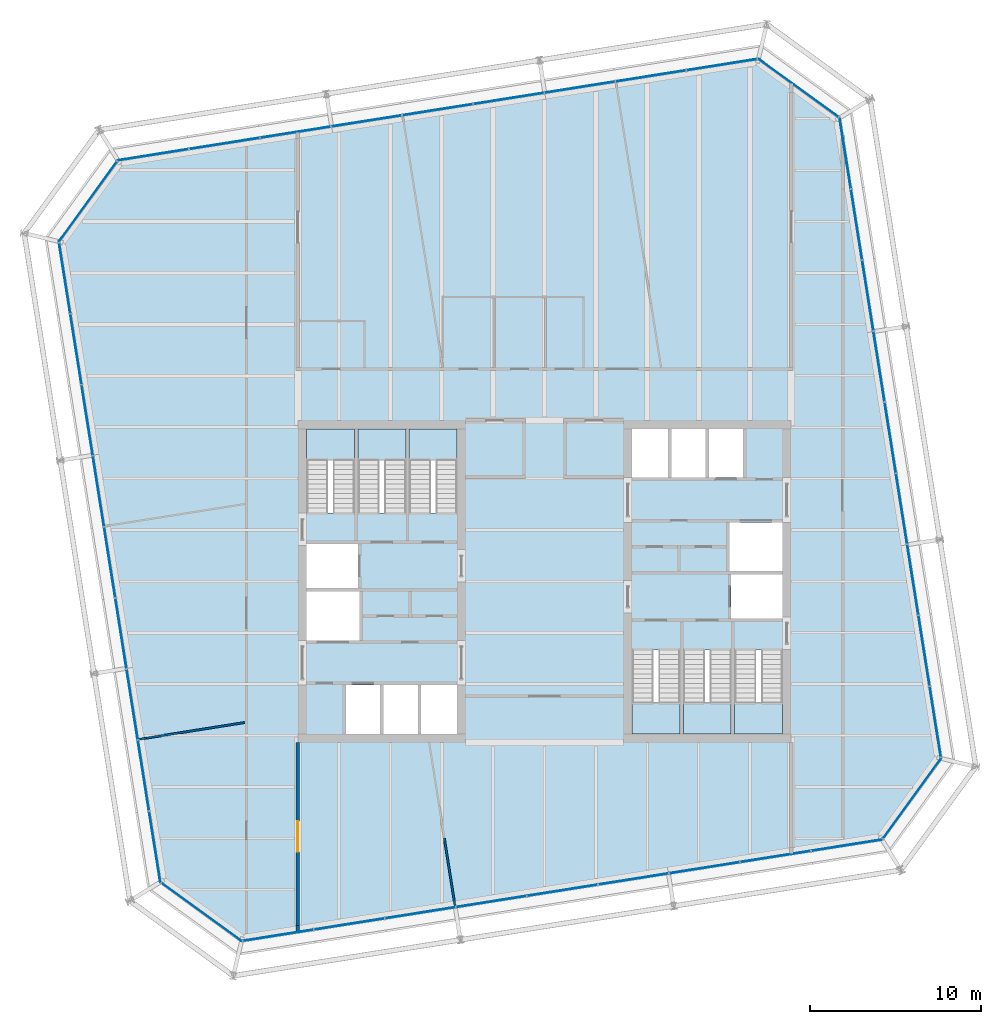
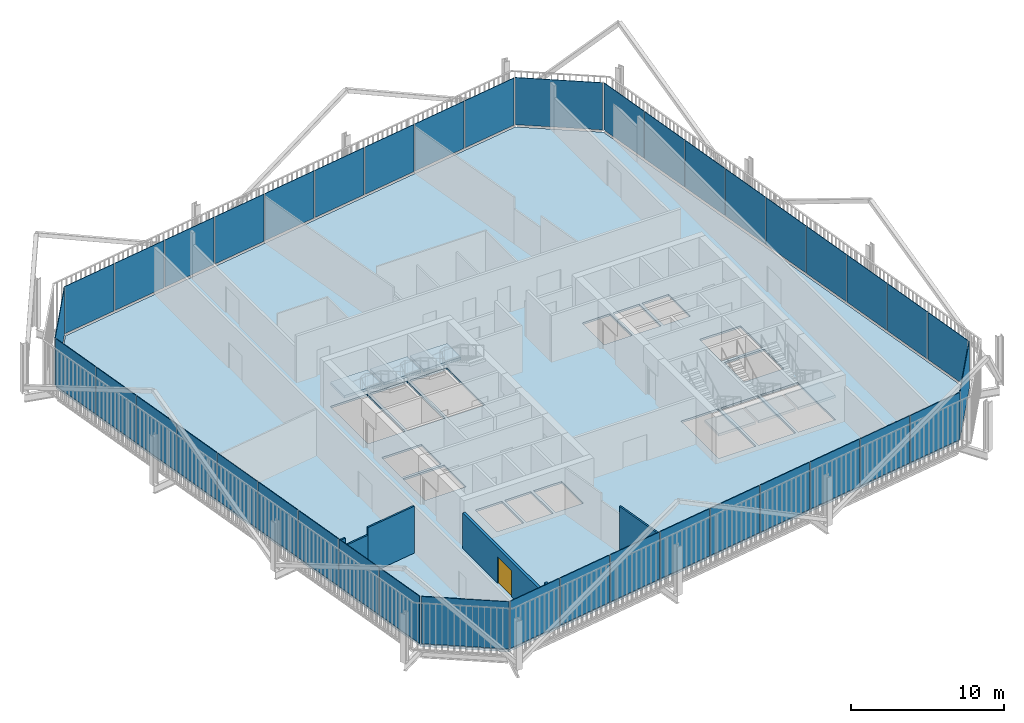
# One storey, part 16 of 21: 40 plates, 7 slabs, 6 walls, 1 door, 1 opening, 14 elements without a shape of their own.
"""IFC4 building model written with IfcOpenShell, lengths in metres."""

from ifc_helpers import new_model, si_unit, direction, frame, frame_2d, origin, place, context, subcontext, project, spatial, polyline, rectangle, outline, extrude, material, layer, layer_set, type_object, element, fill, aggregate, save


model = new_model("IFC4")

# Units and contexts
model_context = context("Model", 3, precision=1e-05, world=origin(), true_north=direction((0.0, 1.0)))
body_context = subcontext(model_context, "Body", "Model", "MODEL_VIEW")
ifc_project = project(units=[si_unit("LENGTHUNIT", "METRE"), si_unit("AREAUNIT", "SQUARE_METRE"), si_unit("VOLUMEUNIT", "CUBIC_METRE"), si_unit("PLANEANGLEUNIT", "RADIAN"), si_unit("MASSUNIT", "GRAM", prefix="KILO")], contexts=[model_context])

# Site, building, storey
site_placement = place(None, origin())
site = spatial("IfcSite", under=ifc_project, at=site_placement, CompositionType="ELEMENT")
building_placement = place(site_placement, origin())
building = spatial("IfcBuilding", under=site, at=building_placement, Name="Millrace Tower", CompositionType="ELEMENT")
storey_placement = place(building_placement, frame((0.0, 0.0, 212.5)))
storey = spatial("IfcBuildingStorey", under=building, at=storey_placement, Name="L48", CompositionType="ELEMENT", Elevation=212.5)

# Curtain wall, plate
ifc_material_1 = material(Name="Aluminium and glass", Category="aluminium")
ifc_layer_1 = layer(ifc_material_1, 0.14990234375)
ifc_layer_set_1 = layer_set([ifc_layer_1], Name="Aluminium and glass")
curtain_wall_type = type_object("IfcCurtainWallType", Name="CW-1 office vision curtain wall", PredefinedType="NOTDEFINED", material=ifc_layer_set_1)
placement_1 = place(storey_placement, origin())
curtain_wall_1 = element("IfcCurtainWall", 1, at=placement_1, inside=storey, type_object=curtain_wall_type, Name="Curtain wall D-F01 L48", PredefinedType="NOTDEFINED")
ifc_material_2 = material(Name="Glass", Category="glass")
ifc_layer_2 = layer(ifc_material_2, 0.0439453125)
ifc_layer_set_2 = layer_set([ifc_layer_2], Name="Glass")
plate_type = type_object("IfcPlateType", Name="CW-1 office vision curtain wall triple-glazed vision panel", PredefinedType="CURTAIN_PANEL", material=ifc_layer_set_2)
placement_2 = place(storey_placement, frame((0.0, 0.0, 0.139892578125)))
plate_1 = element("IfcPlate", 2, at=placement_2, type_object=plate_type, Name="CW1 panel D-F01.1", PredefinedType="CURTAIN_PANEL", context=body_context, shape_type="SweptSolid", body=[
    extrude(outline(polyline([(-22.36474609375, -17.632080078125), (-17.69384765625, -21.025634765625), (-17.6826171875, -20.979248046875), (-22.3388671875, -17.596435546875), (-22.36474609375, -17.632080078125)])), origin(), (0.0, 0.0, 1.0), 3.760009765625),
])
aggregate(curtain_wall_1, [plate_1])

# Curtain wall, plates
curtain_wall_2 = element("IfcCurtainWall", 3, at=placement_1, inside=storey, type_object=curtain_wall_type, Name="Curtain wall D-F02 L48", PredefinedType="NOTDEFINED")
plate_2 = element("IfcPlate", 4, at=placement_2, type_object=plate_type, Name="CW1 panel D-F02.1", PredefinedType="CURTAIN_PANEL", context=body_context, shape_type="SweptSolid", body=[
    extrude(outline(polyline([(-17.58984375, -21.009033203125), (-13.505859375, -20.3623046875), (-13.5126953125, -20.31884765625), (-17.596923828125, -20.965576171875), (-17.58984375, -21.009033203125)])), origin(), (0.0, 0.0, 1.0), 3.760009765625),
])
plate_3 = element("IfcPlate", 5, at=placement_2, type_object=plate_type, Name="CW1 panel D-F02.2", PredefinedType="CURTAIN_PANEL", context=body_context, shape_type="SweptSolid", body=[
    extrude(outline(polyline([(-13.441650390625, -20.35205078125), (-9.357666015625, -19.705078125), (-9.364501953125, -19.66162109375), (-13.448486328125, -20.30859375), (-13.441650390625, -20.35205078125)])), origin(), (0.0, 0.0, 1.0), 3.760009765625),
])
plate_4 = element("IfcPlate", 6, at=placement_2, type_object=plate_type, Name="CW1 panel D-F02.3", PredefinedType="CURTAIN_PANEL", context=body_context, shape_type="SweptSolid", body=[
    extrude(outline(polyline([(-9.29345703125, -19.695068359375), (-5.209228515625, -19.048095703125), (-5.216064453125, -19.004638671875), (-9.30029296875, -19.651611328125), (-9.29345703125, -19.695068359375)])), origin(), (0.0, 0.0, 1.0), 3.760009765625),
])
plate_5 = element("IfcPlate", 7, at=placement_2, type_object=plate_type, Name="CW1 panel D-F02.4", PredefinedType="CURTAIN_PANEL", context=body_context, shape_type="SweptSolid", body=[
    extrude(outline(polyline([(-5.14501953125, -19.0380859375), (-1.06103515625, -18.39111328125), (-1.06787109375, -18.34765625), (-5.15185546875, -18.99462890625), (-5.14501953125, -19.0380859375)])), origin(), (0.0, 0.0, 1.0), 3.760009765625),
])
plate_6 = element("IfcPlate", 8, at=placement_2, type_object=plate_type, Name="CW1 panel D-F02.5", PredefinedType="CURTAIN_PANEL", context=body_context, shape_type="SweptSolid", body=[
    extrude(outline(polyline([(-0.996826171875, -18.380859375), (3.08740234375, -17.734130859375), (3.080322265625, -17.690673828125), (-1.003662109375, -18.33740234375), (-0.996826171875, -18.380859375)])), origin(), (0.0, 0.0, 1.0), 3.760009765625),
])
plate_7 = element("IfcPlate", 9, at=placement_2, type_object=plate_type, Name="CW1 panel D-F02.6", PredefinedType="CURTAIN_PANEL", context=body_context, shape_type="SweptSolid", body=[
    extrude(outline(polyline([(3.151611328125, -17.723876953125), (7.235595703125, -17.0771484375), (7.228759765625, -17.03369140625), (3.14453125, -17.680419921875), (3.151611328125, -17.723876953125)])), origin(), (0.0, 0.0, 1.0), 3.760009765625),
])
plate_8 = element("IfcPlate", 10, at=placement_2, type_object=plate_type, Name="CW1 panel D-F02.7", PredefinedType="CURTAIN_PANEL", context=body_context, shape_type="SweptSolid", body=[
    extrude(outline(polyline([(7.2998046875, -17.06689453125), (11.3837890625, -16.420166015625), (11.376953125, -16.376708984375), (7.29296875, -17.0234375), (7.2998046875, -17.06689453125)])), origin(), (0.0, 0.0, 1.0), 3.760009765625),
])
plate_9 = element("IfcPlate", 11, at=placement_2, type_object=plate_type, Name="CW1 panel D-F02.8", PredefinedType="CURTAIN_PANEL", context=body_context, shape_type="SweptSolid", body=[
    extrude(outline(polyline([(11.447998046875, -16.409912109375), (15.5322265625, -15.762939453125), (15.525390625, -15.719482421875), (11.441162109375, -16.366455078125), (11.447998046875, -16.409912109375)])), origin(), (0.0, 0.0, 1.0), 3.760009765625),
])
plate_10 = element("IfcPlate", 12, at=placement_2, type_object=plate_type, Name="CW1 panel D-F02.9", PredefinedType="CURTAIN_PANEL", context=body_context, shape_type="SweptSolid", body=[
    extrude(outline(polyline([(15.596435546875, -15.7529296875), (19.72021484375, -15.099853515625), (19.6953125, -15.05908203125), (15.589599609375, -15.70947265625), (15.596435546875, -15.7529296875)])), origin(), (0.0, 0.0, 1.0), 3.760009765625),
])
aggregate(curtain_wall_2, [plate_2, plate_3, plate_4, plate_5, plate_6, plate_7, plate_8, plate_9, plate_10])

# Curtain wall, plate
curtain_wall_3 = element("IfcCurtainWall", 13, at=placement_1, inside=storey, type_object=curtain_wall_type, Name="Curtain wall D-F03 L48", PredefinedType="NOTDEFINED")
plate_11 = element("IfcPlate", 14, at=placement_2, type_object=plate_type, Name="CW1 panel D-F03.1", PredefinedType="CURTAIN_PANEL", context=body_context, shape_type="SweptSolid", body=[
    extrude(outline(polyline([(19.781982421875, -15.0146484375), (23.175537109375, -10.34375), (23.129150390625, -10.332763671875), (19.746337890625, -14.98876953125), (19.781982421875, -15.0146484375)])), origin(), (0.0, 0.0, 1.0), 3.760009765625),
])
aggregate(curtain_wall_3, [plate_11])

# Curtain wall, plates
curtain_wall_4 = element("IfcCurtainWall", 15, at=placement_1, inside=storey, type_object=curtain_wall_type, Name="Curtain wall D-F04 L48", PredefinedType="NOTDEFINED")
plate_12 = element("IfcPlate", 16, at=placement_2, type_object=plate_type, Name="CW1 panel D-F04.1", PredefinedType="CURTAIN_PANEL", context=body_context, shape_type="SweptSolid", body=[
    extrude(outline(polyline([(23.1591796875, -10.239990234375), (22.51220703125, -6.15576171875), (22.46875, -6.162841796875), (23.11572265625, -10.246826171875), (23.1591796875, -10.239990234375)])), origin(), (0.0, 0.0, 1.0), 3.760009765625),
])
plate_13 = element("IfcPlate", 17, at=placement_2, type_object=plate_type, Name="CW1 panel D-F04.2", PredefinedType="CURTAIN_PANEL", context=body_context, shape_type="SweptSolid", body=[
    extrude(outline(polyline([(22.501953125, -6.091552734375), (21.855224609375, -2.007568359375), (21.811767578125, -2.014404296875), (22.45849609375, -6.0986328125), (22.501953125, -6.091552734375)])), origin(), (0.0, 0.0, 1.0), 3.760009765625),
])
plate_14 = element("IfcPlate", 18, at=placement_2, type_object=plate_type, Name="CW1 panel D-F04.3", PredefinedType="CURTAIN_PANEL", context=body_context, shape_type="SweptSolid", body=[
    extrude(outline(polyline([(21.844970703125, -1.943359375), (21.1982421875, 2.140625), (21.15478515625, 2.1337890625), (21.801513671875, -1.9501953125), (21.844970703125, -1.943359375)])), origin(), (0.0, 0.0, 1.0), 3.760009765625),
])
plate_15 = element("IfcPlate", 19, at=placement_2, type_object=plate_type, Name="CW1 panel D-F04.4", PredefinedType="CURTAIN_PANEL", context=body_context, shape_type="SweptSolid", body=[
    extrude(outline(polyline([(21.18798828125, 2.204833984375), (20.541259765625, 6.2890625), (20.497802734375, 6.2822265625), (21.14453125, 2.197998046875), (21.18798828125, 2.204833984375)])), origin(), (0.0, 0.0, 1.0), 3.760009765625),
])
plate_16 = element("IfcPlate", 20, at=placement_2, type_object=plate_type, Name="CW1 panel D-F04.5", PredefinedType="CURTAIN_PANEL", context=body_context, shape_type="SweptSolid", body=[
    extrude(outline(polyline([(20.531005859375, 6.353271484375), (19.884033203125, 10.437255859375), (19.840576171875, 10.430419921875), (20.487548828125, 6.346435546875), (20.531005859375, 6.353271484375)])), origin(), (0.0, 0.0, 1.0), 3.760009765625),
])
plate_17 = element("IfcPlate", 21, at=placement_2, type_object=plate_type, Name="CW1 panel D-F04.6", PredefinedType="CURTAIN_PANEL", context=body_context, shape_type="SweptSolid", body=[
    extrude(outline(polyline([(19.8740234375, 10.50146484375), (19.22705078125, 14.585693359375), (19.18359375, 14.57861328125), (19.83056640625, 10.49462890625), (19.8740234375, 10.50146484375)])), origin(), (0.0, 0.0, 1.0), 3.760009765625),
])
plate_18 = element("IfcPlate", 22, at=placement_2, type_object=plate_type, Name="CW1 panel D-F04.7", PredefinedType="CURTAIN_PANEL", context=body_context, shape_type="SweptSolid", body=[
    extrude(outline(polyline([(19.217041015625, 14.64990234375), (18.570068359375, 18.73388671875), (18.526611328125, 18.72705078125), (19.173583984375, 14.642822265625), (19.217041015625, 14.64990234375)])), origin(), (0.0, 0.0, 1.0), 3.760009765625),
])
plate_19 = element("IfcPlate", 23, at=placement_2, type_object=plate_type, Name="CW1 panel D-F04.8", PredefinedType="CURTAIN_PANEL", context=body_context, shape_type="SweptSolid", body=[
    extrude(outline(polyline([(18.559814453125, 18.798095703125), (17.9130859375, 22.882080078125), (17.86962890625, 22.875244140625), (18.516357421875, 18.791259765625), (18.559814453125, 18.798095703125)])), origin(), (0.0, 0.0, 1.0), 3.760009765625),
])
plate_20 = element("IfcPlate", 24, at=placement_2, type_object=plate_type, Name="CW1 panel D-F04.9", PredefinedType="CURTAIN_PANEL", context=body_context, shape_type="SweptSolid", body=[
    extrude(outline(polyline([(17.90283203125, 22.9462890625), (17.249755859375, 27.070068359375), (17.209228515625, 27.045166015625), (17.859375, 22.939453125), (17.90283203125, 22.9462890625)])), origin(), (0.0, 0.0, 1.0), 3.760009765625),
])
aggregate(curtain_wall_4, [plate_12, plate_13, plate_14, plate_15, plate_16, plate_17, plate_18, plate_19, plate_20])

# Curtain wall, plate
curtain_wall_5 = element("IfcCurtainWall", 25, at=placement_1, inside=storey, type_object=curtain_wall_type, Name="Curtain wall D-F05 L48", PredefinedType="NOTDEFINED")
plate_21 = element("IfcPlate", 26, at=placement_2, type_object=plate_type, Name="CW1 panel D-F05.1", PredefinedType="CURTAIN_PANEL", context=body_context, shape_type="SweptSolid", body=[
    extrude(outline(polyline([(17.16455078125, 27.132080078125), (12.493896484375, 30.525634765625), (12.482666015625, 30.479248046875), (17.138671875, 27.096435546875), (17.16455078125, 27.132080078125)])), origin(), (0.0, 0.0, 1.0), 3.760009765625),
])
aggregate(curtain_wall_5, [plate_21])

# Curtain wall, plates
curtain_wall_6 = element("IfcCurtainWall", 27, at=placement_1, inside=storey, type_object=curtain_wall_type, Name="Curtain wall D-F06 L48", PredefinedType="NOTDEFINED")
plate_22 = element("IfcPlate", 28, at=placement_2, type_object=plate_type, Name="CW1 panel D-F06.1", PredefinedType="CURTAIN_PANEL", context=body_context, shape_type="SweptSolid", body=[
    extrude(outline(polyline([(12.389892578125, 30.509033203125), (8.305908203125, 29.8623046875), (8.312744140625, 29.81884765625), (12.396728515625, 30.465576171875), (12.389892578125, 30.509033203125)])), origin(), (0.0, 0.0, 1.0), 3.760009765625),
])
plate_23 = element("IfcPlate", 29, at=placement_2, type_object=plate_type, Name="CW1 panel D-F06.2", PredefinedType="CURTAIN_PANEL", context=body_context, shape_type="SweptSolid", body=[
    extrude(outline(polyline([(8.24169921875, 29.85205078125), (4.157470703125, 29.205078125), (4.16455078125, 29.16162109375), (8.24853515625, 29.80859375), (8.24169921875, 29.85205078125)])), origin(), (0.0, 0.0, 1.0), 3.760009765625),
])
plate_24 = element("IfcPlate", 30, at=placement_2, type_object=plate_type, Name="CW1 panel D-F06.3", PredefinedType="CURTAIN_PANEL", context=body_context, shape_type="SweptSolid", body=[
    extrude(outline(polyline([(4.09326171875, 29.195068359375), (0.00927734375, 28.548095703125), (0.01611328125, 28.504638671875), (4.100341796875, 29.151611328125), (4.09326171875, 29.195068359375)])), origin(), (0.0, 0.0, 1.0), 3.760009765625),
])
plate_25 = element("IfcPlate", 31, at=placement_2, type_object=plate_type, Name="CW1 panel D-F06.4", PredefinedType="CURTAIN_PANEL", context=body_context, shape_type="SweptSolid", body=[
    extrude(outline(polyline([(-0.054931640625, 28.5380859375), (-4.138916015625, 27.89111328125), (-4.132080078125, 27.84765625), (-0.048095703125, 28.49462890625), (-0.054931640625, 28.5380859375)])), origin(), (0.0, 0.0, 1.0), 3.760009765625),
])
plate_26 = element("IfcPlate", 32, at=placement_2, type_object=plate_type, Name="CW1 panel D-F06.5", PredefinedType="CURTAIN_PANEL", context=body_context, shape_type="SweptSolid", body=[
    extrude(outline(polyline([(-4.203125, 27.880859375), (-8.287353515625, 27.234130859375), (-8.280517578125, 27.190673828125), (-4.1962890625, 27.83740234375), (-4.203125, 27.880859375)])), origin(), (0.0, 0.0, 1.0), 3.760009765625),
])
plate_27 = element("IfcPlate", 33, at=placement_2, type_object=plate_type, Name="CW1 panel D-F06.6", PredefinedType="CURTAIN_PANEL", context=body_context, shape_type="SweptSolid", body=[
    extrude(outline(polyline([(-8.3515625, 27.223876953125), (-12.435546875, 26.5771484375), (-12.4287109375, 26.53369140625), (-8.3447265625, 27.180419921875), (-8.3515625, 27.223876953125)])), origin(), (0.0, 0.0, 1.0), 3.760009765625),
])
plate_28 = element("IfcPlate", 34, at=placement_2, type_object=plate_type, Name="CW1 panel D-F06.7", PredefinedType="CURTAIN_PANEL", context=body_context, shape_type="SweptSolid", body=[
    extrude(outline(polyline([(-12.499755859375, 26.56689453125), (-16.583984375, 25.920166015625), (-16.576904296875, 25.876708984375), (-12.492919921875, 26.5234375), (-12.499755859375, 26.56689453125)])), origin(), (0.0, 0.0, 1.0), 3.760009765625),
])
plate_29 = element("IfcPlate", 35, at=placement_2, type_object=plate_type, Name="CW1 panel D-F06.8", PredefinedType="CURTAIN_PANEL", context=body_context, shape_type="SweptSolid", body=[
    extrude(outline(polyline([(-16.648193359375, 25.909912109375), (-20.732177734375, 25.262939453125), (-20.725341796875, 25.219482421875), (-16.64111328125, 25.866455078125), (-16.648193359375, 25.909912109375)])), origin(), (0.0, 0.0, 1.0), 3.760009765625),
])
plate_30 = element("IfcPlate", 36, at=placement_2, type_object=plate_type, Name="CW1 panel D-F06.9", PredefinedType="CURTAIN_PANEL", context=body_context, shape_type="SweptSolid", body=[
    extrude(outline(polyline([(-20.79638671875, 25.2529296875), (-24.920166015625, 24.599853515625), (-24.895263671875, 24.55908203125), (-20.78955078125, 25.20947265625), (-20.79638671875, 25.2529296875)])), origin(), (0.0, 0.0, 1.0), 3.760009765625),
])
aggregate(curtain_wall_6, [plate_22, plate_23, plate_24, plate_25, plate_26, plate_27, plate_28, plate_29, plate_30])

# Curtain wall, plate
curtain_wall_7 = element("IfcCurtainWall", 37, at=placement_1, inside=storey, type_object=curtain_wall_type, Name="Curtain wall D-F07 L48", PredefinedType="NOTDEFINED")
plate_31 = element("IfcPlate", 38, at=placement_2, type_object=plate_type, Name="CW1 panel D-F07.1", PredefinedType="CURTAIN_PANEL", context=body_context, shape_type="SweptSolid", body=[
    extrude(outline(polyline([(-24.98193359375, 24.5146484375), (-28.37548828125, 19.84375), (-28.329345703125, 19.832763671875), (-24.9462890625, 24.48876953125), (-24.98193359375, 24.5146484375)])), origin(), (0.0, 0.0, 1.0), 3.760009765625),
])
aggregate(curtain_wall_7, [plate_31])

# Curtain wall, plates
curtain_wall_8 = element("IfcCurtainWall", 39, at=placement_1, inside=storey, type_object=curtain_wall_type, Name="Curtain wall D-F08 L48", PredefinedType="NOTDEFINED")
plate_32 = element("IfcPlate", 40, at=placement_2, type_object=plate_type, Name="CW1 panel D-F08.1", PredefinedType="CURTAIN_PANEL", context=body_context, shape_type="SweptSolid", body=[
    extrude(outline(polyline([(-28.359130859375, 19.739990234375), (-27.712158203125, 15.65576171875), (-27.668701171875, 15.662841796875), (-28.315673828125, 19.746826171875), (-28.359130859375, 19.739990234375)])), origin(), (0.0, 0.0, 1.0), 3.760009765625),
])
plate_33 = element("IfcPlate", 41, at=placement_2, type_object=plate_type, Name="CW1 panel D-F08.2", PredefinedType="CURTAIN_PANEL", context=body_context, shape_type="SweptSolid", body=[
    extrude(outline(polyline([(-27.7021484375, 15.591552734375), (-27.05517578125, 11.507568359375), (-27.01171875, 11.514404296875), (-27.65869140625, 15.5986328125), (-27.7021484375, 15.591552734375)])), origin(), (0.0, 0.0, 1.0), 3.760009765625),
])
plate_34 = element("IfcPlate", 42, at=placement_2, type_object=plate_type, Name="CW1 panel D-F08.3", PredefinedType="CURTAIN_PANEL", context=body_context, shape_type="SweptSolid", body=[
    extrude(outline(polyline([(-27.044921875, 11.443359375), (-26.398193359375, 7.359375), (-26.354736328125, 7.3662109375), (-27.00146484375, 11.4501953125), (-27.044921875, 11.443359375)])), origin(), (0.0, 0.0, 1.0), 3.760009765625),
])
plate_35 = element("IfcPlate", 43, at=placement_2, type_object=plate_type, Name="CW1 panel D-F08.4", PredefinedType="CURTAIN_PANEL", context=body_context, shape_type="SweptSolid", body=[
    extrude(outline(polyline([(-26.387939453125, 7.295166015625), (-25.7412109375, 3.2109375), (-25.69775390625, 3.2177734375), (-26.344482421875, 7.302001953125), (-26.387939453125, 7.295166015625)])), origin(), (0.0, 0.0, 1.0), 3.760009765625),
])
plate_36 = element("IfcPlate", 44, at=placement_2, type_object=plate_type, Name="CW1 panel D-F08.5", PredefinedType="CURTAIN_PANEL", context=body_context, shape_type="SweptSolid", body=[
    extrude(outline(polyline([(-25.73095703125, 3.146728515625), (-25.084228515625, -0.937255859375), (-25.040771484375, -0.930419921875), (-25.6875, 3.153564453125), (-25.73095703125, 3.146728515625)])), origin(), (0.0, 0.0, 1.0), 3.760009765625),
])
plate_37 = element("IfcPlate", 45, at=placement_2, type_object=plate_type, Name="CW1 panel D-F08.6", PredefinedType="CURTAIN_PANEL", context=body_context, shape_type="SweptSolid", body=[
    extrude(outline(polyline([(-25.073974609375, -1.00146484375), (-24.427001953125, -5.085693359375), (-24.383544921875, -5.07861328125), (-25.030517578125, -0.99462890625), (-25.073974609375, -1.00146484375)])), origin(), (0.0, 0.0, 1.0), 3.760009765625),
])
plate_38 = element("IfcPlate", 46, at=placement_2, type_object=plate_type, Name="CW1 panel D-F08.7", PredefinedType="CURTAIN_PANEL", context=body_context, shape_type="SweptSolid", body=[
    extrude(outline(polyline([(-24.4169921875, -5.14990234375), (-23.77001953125, -9.23388671875), (-23.7265625, -9.22705078125), (-24.37353515625, -5.142822265625), (-24.4169921875, -5.14990234375)])), origin(), (0.0, 0.0, 1.0), 3.760009765625),
])
plate_39 = element("IfcPlate", 47, at=placement_2, type_object=plate_type, Name="CW1 panel D-F08.8", PredefinedType="CURTAIN_PANEL", context=body_context, shape_type="SweptSolid", body=[
    extrude(outline(polyline([(-23.760009765625, -9.298095703125), (-23.113037109375, -13.382080078125), (-23.069580078125, -13.375244140625), (-23.716552734375, -9.291259765625), (-23.760009765625, -9.298095703125)])), origin(), (0.0, 0.0, 1.0), 3.760009765625),
])
plate_40 = element("IfcPlate", 48, at=placement_2, type_object=plate_type, Name="CW1 panel D-F08.9", PredefinedType="CURTAIN_PANEL", context=body_context, shape_type="SweptSolid", body=[
    extrude(outline(polyline([(-23.102783203125, -13.4462890625), (-22.44970703125, -17.570068359375), (-22.4091796875, -17.545166015625), (-23.059326171875, -13.439453125), (-23.102783203125, -13.4462890625)])), origin(), (0.0, 0.0, 1.0), 3.760009765625),
])
aggregate(curtain_wall_8, [plate_32, plate_33, plate_34, plate_35, plate_36, plate_37, plate_38, plate_39, plate_40])

# Slab
ifc_material_3 = material(Name="Concrete C35 on steel deck", Category="concrete")
ifc_layer_3 = layer(ifc_material_3, 0.159912109375)
ifc_layer_set_3 = layer_set([ifc_layer_3], Name="Concrete C35 on steel deck")
slab_type_1 = type_object("IfcSlabType", Name="Composite floor slab 160 mm", PredefinedType="FLOOR", material=ifc_layer_set_3)
slab_1_placement = place(storey_placement, frame((0.0, 0.0, -0.159912109375)))
element("IfcSlab", 49, at=slab_1_placement, inside=storey, type_object=slab_type_1, Name="SL-D-L48-S1", PredefinedType="FLOOR", context=body_context, shape_type="SweptSolid", body=[
    extrude(outline(polyline([(-22.360107421875, -17.515380859375), (-17.66943359375, -20.92333984375), (19.665283203125, -15.01025390625), (23.073486328125, -10.3193359375), (17.16015625, 27.015380859375), (12.46923828125, 30.42333984375), (-24.865234375, 24.51025390625), (-28.2734375, 19.8193359375), (-22.360107421875, -17.515380859375)]), holes=[polyline([(-11.60009765625, -8.89990234375), (-9.60009765625, -8.89990234375), (-9.60009765625, -6.050048828125), (-11.60009765625, -6.050048828125), (-11.60009765625, -8.89990234375)]), polyline([(-9.39990234375, -8.89990234375), (-7.39990234375, -8.89990234375), (-7.39990234375, -6.050048828125), (-9.39990234375, -6.050048828125), (-9.39990234375, -8.89990234375)]), polyline([(-7.199951171875, -8.89990234375), (-5.10009765625, -8.89990234375), (-5.10009765625, -6.050048828125), (-7.199951171875, -6.050048828125), (-7.199951171875, -8.89990234375)]), polyline([(-13.89990234375, -3.449951171875), (-10.800048828125, -3.449951171875), (-10.800048828125, -0.60009765625), (-13.89990234375, -0.60009765625), (-13.89990234375, -3.449951171875)]), polyline([(-13.89990234375, -0.39990234375), (-10.89990234375, -0.39990234375), (-10.89990234375, 2.179931640625), (-13.89990234375, 2.179931640625), (-13.89990234375, -0.39990234375)]), polyline([(-13.89990234375, 4.0), (-11.10009765625, 4.0), (-11.10009765625, 8.89990234375), (-13.89990234375, 8.89990234375), (-13.89990234375, 4.0)]), polyline([(-10.89990234375, 4.0), (-8.10009765625, 4.0), (-8.10009765625, 8.89990234375), (-10.89990234375, 8.89990234375), (-10.89990234375, 4.0)]), polyline([(-7.89990234375, 4.0), (-5.10009765625, 4.0), (-5.10009765625, 8.89990234375), (-7.89990234375, 8.89990234375), (-7.89990234375, 4.0)]), polyline([(9.60009765625, 6.050048828125), (11.60009765625, 6.050048828125), (11.60009765625, 8.89990234375), (9.60009765625, 8.89990234375), (9.60009765625, 6.050048828125)]), polyline([(7.39990234375, 6.050048828125), (9.39990234375, 6.050048828125), (9.39990234375, 8.89990234375), (7.39990234375, 8.89990234375), (7.39990234375, 6.050048828125)]), polyline([(5.10009765625, 6.050048828125), (7.199951171875, 6.050048828125), (7.199951171875, 8.89990234375), (5.10009765625, 8.89990234375), (5.10009765625, 6.050048828125)]), polyline([(10.800048828125, 0.60009765625), (13.89990234375, 0.60009765625), (13.89990234375, 3.449951171875), (10.800048828125, 3.449951171875), (10.800048828125, 0.60009765625)]), polyline([(10.89990234375, -2.179931640625), (13.89990234375, -2.179931640625), (13.89990234375, 0.39990234375), (10.89990234375, 0.39990234375), (10.89990234375, -2.179931640625)]), polyline([(11.10009765625, -8.89990234375), (13.89990234375, -8.89990234375), (13.89990234375, -4.0), (11.10009765625, -4.0), (11.10009765625, -8.89990234375)]), polyline([(8.10009765625, -8.89990234375), (10.89990234375, -8.89990234375), (10.89990234375, -4.0), (8.10009765625, -4.0), (8.10009765625, -8.89990234375)]), polyline([(5.10009765625, -8.89990234375), (7.89990234375, -8.89990234375), (7.89990234375, -4.0), (5.10009765625, -4.0), (5.10009765625, -8.89990234375)])]), origin(), (0.0, 0.0, 1.0), 0.159912109375),
])

# Stair, slab
ifc_material_4 = material(Name="Concrete C35", Category="concrete")
stair_type = type_object("IfcStairType", Name="Exit stair", PredefinedType="HALF_TURN_STAIR", material=ifc_material_4)
stair_1 = element("IfcStair", 50, at=placement_1, inside=storey, type_object=stair_type, Name="Stair 1 W L48", PredefinedType="HALF_TURN_STAIR")
ifc_material_5 = material(Name="Concrete C40", Category="concrete")
ifc_layer_4 = layer(ifc_material_5, 0.199951171875)
ifc_layer_set_4 = layer_set([ifc_layer_4], Name="Concrete C40")
slab_type_2 = type_object("IfcSlabType", Name="Stair landing", PredefinedType="LANDING", material=ifc_layer_set_4)
placement_3 = place(storey_placement, frame((0.0, 0.0, 1.75)))
slab_2 = element("IfcSlab", 51, at=placement_3, type_object=slab_type_2, Name="ST12 landing 1", PredefinedType="LANDING", context=body_context, shape_type="SweptSolid", body=[
    extrude(outline(polyline([(-13.89990234375, 7.080078125), (-11.10009765625, 7.080078125), (-11.10009765625, 8.89990234375), (-13.89990234375, 8.89990234375), (-13.89990234375, 7.080078125)])), origin(), (0.0, 0.0, 1.0), 0.199951171875),
])
aggregate(stair_1, [slab_2])

stair_2 = element("IfcStair", 52, at=placement_1, inside=storey, type_object=stair_type, Name="Stair 2 W L48", PredefinedType="HALF_TURN_STAIR")
slab_3 = element("IfcSlab", 53, at=placement_3, type_object=slab_type_2, Name="ST12 landing 1", PredefinedType="LANDING", context=body_context, shape_type="SweptSolid", body=[
    extrude(outline(polyline([(-10.89990234375, 7.080078125), (-8.10009765625, 7.080078125), (-8.10009765625, 8.89990234375), (-10.89990234375, 8.89990234375), (-10.89990234375, 7.080078125)])), origin(), (0.0, 0.0, 1.0), 0.199951171875),
])
aggregate(stair_2, [slab_3])

stair_3 = element("IfcStair", 54, at=placement_1, inside=storey, type_object=stair_type, Name="Stair 3 W L48", PredefinedType="HALF_TURN_STAIR")
slab_4 = element("IfcSlab", 55, at=placement_3, type_object=slab_type_2, Name="ST12 landing 1", PredefinedType="LANDING", context=body_context, shape_type="SweptSolid", body=[
    extrude(outline(polyline([(-7.89990234375, 7.080078125), (-5.10009765625, 7.080078125), (-5.10009765625, 8.89990234375), (-7.89990234375, 8.89990234375), (-7.89990234375, 7.080078125)])), origin(), (0.0, 0.0, 1.0), 0.199951171875),
])
aggregate(stair_3, [slab_4])

stair_4 = element("IfcStair", 56, at=placement_1, inside=storey, type_object=stair_type, Name="Stair 1 E L48", PredefinedType="HALF_TURN_STAIR")
slab_5 = element("IfcSlab", 57, at=placement_3, type_object=slab_type_2, Name="ST12 landing 1", PredefinedType="LANDING", context=body_context, shape_type="SweptSolid", body=[
    extrude(outline(polyline([(11.10009765625, -8.89990234375), (13.89990234375, -8.89990234375), (13.89990234375, -7.080078125), (11.10009765625, -7.080078125), (11.10009765625, -8.89990234375)])), origin(), (0.0, 0.0, 1.0), 0.199951171875),
])
aggregate(stair_4, [slab_5])

stair_5 = element("IfcStair", 58, at=placement_1, inside=storey, type_object=stair_type, Name="Stair 2 E L48", PredefinedType="HALF_TURN_STAIR")
slab_6 = element("IfcSlab", 59, at=placement_3, type_object=slab_type_2, Name="ST12 landing 1", PredefinedType="LANDING", context=body_context, shape_type="SweptSolid", body=[
    extrude(outline(polyline([(8.10009765625, -8.89990234375), (10.89990234375, -8.89990234375), (10.89990234375, -7.080078125), (8.10009765625, -7.080078125), (8.10009765625, -8.89990234375)])), origin(), (0.0, 0.0, 1.0), 0.199951171875),
])
aggregate(stair_5, [slab_6])

stair_6 = element("IfcStair", 60, at=placement_1, inside=storey, type_object=stair_type, Name="Stair 3 E L48", PredefinedType="HALF_TURN_STAIR")
slab_7 = element("IfcSlab", 61, at=placement_3, type_object=slab_type_2, Name="ST12 landing 1", PredefinedType="LANDING", context=body_context, shape_type="SweptSolid", body=[
    extrude(outline(polyline([(5.10009765625, -8.89990234375), (7.89990234375, -8.89990234375), (7.89990234375, -7.080078125), (5.10009765625, -7.080078125), (5.10009765625, -8.89990234375)])), origin(), (0.0, 0.0, 1.0), 0.199951171875),
])
aggregate(stair_6, [slab_7])

# Wall
ifc_material_6 = material(Name="Masonry partition, fire-rated", Category="masonry")
ifc_layer_5 = layer(ifc_material_6, 0.199951171875)
ifc_layer_set_5 = layer_set([ifc_layer_5], Name="Masonry partition, fire-rated")
wall_type_1 = type_object("IfcWallType", Name="Corridor wall 200", PredefinedType="PARTITIONING", material=ifc_layer_set_5)
wall_1_placement = place(storey_placement, frame((-14.39990234375, -20.43603515625, 0.0), z_axis=(0.0, 0.0, 1.0), x_axis=(0.0, 1.0, 0.0)))
element("IfcWall", 62, at=wall_1_placement, inside=storey, type_object=wall_type_1, Name="Corridor wall L48", PredefinedType="PARTITIONING", context=body_context, shape_type="SweptSolid", body=[
    extrude(rectangle(XDim=0.349609375, YDim=0.199951171875, at=frame_2d((0.1748046875, 0.0))), origin(), (0.0, 0.0, 1.0), 3.739990234375),
])

# Wall, opening, door
wall_2_placement = place(storey_placement, frame((-14.39990234375, -20.08642578125, 0.0), z_axis=(0.0, 0.0, 1.0), x_axis=(0.0, 1.0, 0.0)))
wall_2 = element("IfcWall", 63, at=wall_2_placement, inside=storey, type_object=wall_type_1, Name="Corridor wall L48", PredefinedType="PARTITIONING", context=body_context, shape_type="SweptSolid", body=[
    extrude(rectangle(XDim=10.6865234375, YDim=0.199951171875, at=frame_2d((5.34326171875, 0.0))), origin(), (0.0, 0.0, 1.0), 2.81298828125),
])
opening_placement = place(wall_2_placement, frame((4.2939453125, 0.0, 0.0)))
opening = element("IfcOpeningElement", 64, at=opening_placement, cuts=wall_2, Name="Opening 48-P014", PredefinedType="OPENING", context=body_context, shape_type="SweptSolid", body=[
    extrude(rectangle(XDim=1.800048828125, YDim=2.10009765625, at=frame_2d((0.89990234375, 1.050048828125))), frame((0.0, 0.10986328125, 0.0), z_axis=(0.0, -1.0, 0.0), x_axis=(1.0, 0.0, 0.0)), (0.0, 0.0, 1.0), 0.219970703125),
])
ifc_material_7 = material(Name="Steel door set, fire-rated", Category="steel")
door_type = type_object("IfcDoorType", Name="Corridor door 1800 x 2100", OperationType="DOUBLE_DOOR_SINGLE_SWING", PredefinedType="DOOR", material=ifc_material_7)
door_placement = place(opening_placement, frame((1.800048828125, 0.0, 0.0), z_axis=(0.0, 0.0, 1.0), x_axis=(-1.0, 0.0, 0.0)))
door = element("IfcDoor", 65, at=door_placement, inside=storey, type_object=door_type, Name="Door 48-P014", OperationType="DOUBLE_DOOR_SINGLE_SWING", OverallHeight=2.10009765625, OverallWidth=1.800048828125, PredefinedType="DOOR", context=body_context, shape_type="SweptSolid", body=[
    extrude(rectangle(XDim=1.800048828125, YDim=2.10009765625, at=frame_2d((0.89990234375, 1.050048828125))), frame((0.0, 0.02490234375, 0.0), z_axis=(0.0, -1.0, 0.0), x_axis=(1.0, 0.0, 0.0)), (0.0, 0.0, 1.0), 0.050048828125),
])
fill(opening, door)

# Walls
ifc_material_8 = material(Name="Gypsum board partition")
ifc_layer_6 = layer(ifc_material_8, 0.1201171875)
ifc_layer_set_6 = layer_set([ifc_layer_6], Name="Gypsum board partition")
wall_type_2 = type_object("IfcWallType", Name="Partition wall 120", PredefinedType="PARTITIONING", material=ifc_layer_set_6)
wall_3_placement = place(storey_placement, frame((-5.851806640625, -14.99267578125, 0.0), z_axis=(0.0, 0.0, 1.0), x_axis=(0.15636605837, -0.987699172719, 0.0)))
element("IfcWall", 66, at=wall_3_placement, inside=storey, type_object=wall_type_2, Name="Partition wall L48", PredefinedType="PARTITIONING", context=body_context, shape_type="SweptSolid", body=[
    extrude(rectangle(XDim=4.039306640625, YDim=0.1201171875, at=frame_2d((2.01953125, 0.0))), origin(), (0.0, 0.0, 1.0), 3.739990234375),
])
wall_4_placement = place(storey_placement, frame((-23.703857421875, -9.2236328125, 0.0), z_axis=(0.0, 0.0, 1.0), x_axis=(0.987688969713, 0.156430492897, 0.0)))
element("IfcWall", 67, at=wall_4_placement, inside=storey, type_object=wall_type_2, Name="Partition wall L48", PredefinedType="PARTITIONING", context=body_context, shape_type="SweptSolid", body=[
    extrude(rectangle(XDim=0.482177734375, YDim=0.1201171875, at=frame_2d((0.2412109375, 0.0))), origin(), (0.0, 0.0, 1.0), 3.739990234375),
])
wall_5_placement = place(storey_placement, frame((-23.2275390625, -9.148193359375, 0.0), z_axis=(0.0, 0.0, 1.0), x_axis=(0.987694977912, 0.156392552913, 0.0)))
element("IfcWall", 68, at=wall_5_placement, inside=storey, type_object=wall_type_2, Name="Partition wall L48", PredefinedType="PARTITIONING", context=body_context, shape_type="SweptSolid", body=[
    extrude(rectangle(XDim=1.895263671875, YDim=0.1201171875, at=frame_2d((0.94775390625, 0.0))), origin(), (0.0, 0.0, 1.0), 3.140625),
])
wall_6_placement = place(storey_placement, frame((-21.355712890625, -8.851806640625, 0.0), z_axis=(0.0, 0.0, 1.0), x_axis=(0.987680199826, 0.156485855182, 0.0)))
element("IfcWall", 69, at=wall_6_placement, inside=storey, type_object=wall_type_2, Name="Partition wall L48", PredefinedType="PARTITIONING", context=body_context, shape_type="SweptSolid", body=[
    extrude(rectangle(XDim=3.905029296875, YDim=0.1201171875, at=frame_2d((1.95263671875, 0.0))), origin(), (0.0, 0.0, 1.0), 3.739990234375),
])

save(model, "model.ifc")
